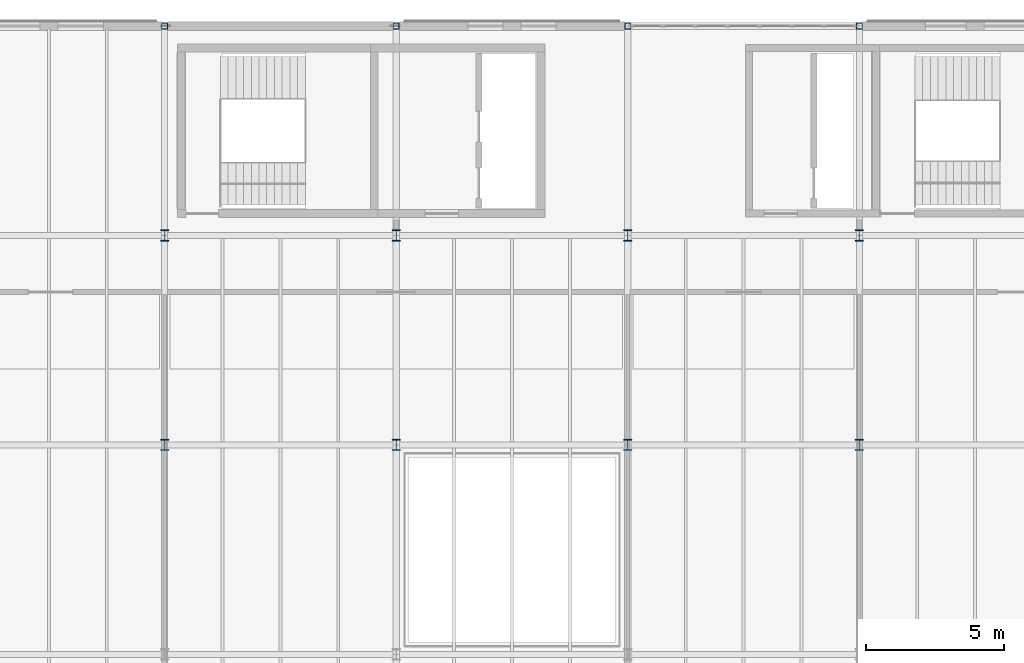
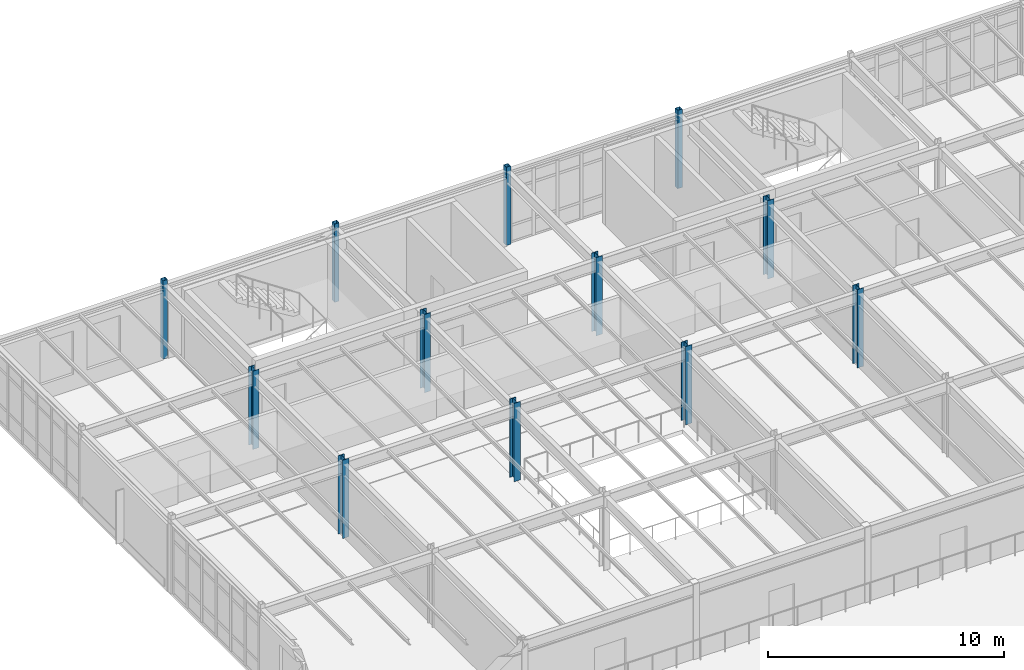
# One storey, part 11 of 114: 12 columns.
"""IFC4 building model written with IfcOpenShell, lengths in metres."""

from ifc_helpers import new_model, si_unit, direction, frame, origin, origin_2d, place, context, subcontext, project, spatial, hollow_rectangle, i_section, extrude, material, material_profile, profile_set, type_object, element, save


model = new_model("IFC4")

# Units and contexts
model_context = context("Model", 3, precision=1e-05, world=origin(), true_north=direction((0.0, 1.0)))
body_context = subcontext(model_context, "Body", "Model", "MODEL_VIEW")
ifc_project = project(units=[si_unit("LENGTHUNIT", "METRE"), si_unit("AREAUNIT", "SQUARE_METRE"), si_unit("VOLUMEUNIT", "CUBIC_METRE"), si_unit("PLANEANGLEUNIT", "RADIAN"), si_unit("MASSUNIT", "GRAM", prefix="KILO")], contexts=[model_context])

# Site, building, storey
site_placement = place(None, origin())
site = spatial("IfcSite", under=ifc_project, at=site_placement, CompositionType="ELEMENT")
building_placement = place(site_placement, origin())
building = spatial("IfcBuilding", under=site, at=building_placement, Name="Montecoro Central Library", CompositionType="ELEMENT")
storey_placement = place(building_placement, frame((0.0, 0.0, 13.260009765625)))
storey = spatial("IfcBuildingStorey", under=building, at=storey_placement, Name="L03", CompositionType="ELEMENT", Elevation=13.260009765625)

# Columns
ifc_material = material(Name="Steel S355", Category="steel")
ifc_material_profile_1 = material_profile(ifc_material, i_section(OverallWidth=0.300048828125, OverallDepth=0.39990234375, WebThickness=0.013427734375, FlangeThickness=0.02392578125, at=origin_2d()), Name="HEB 400")
ifc_profile_set_1 = profile_set([ifc_material_profile_1], Name="Steel S355")
column_type_1 = type_object("IfcColumnType", Name="COL-HEB400", PredefinedType="COLUMN", material=ifc_profile_set_1)
for number, where, z_axis, x_axis, name in (
    (1, (74.800048828125, 103.800048828125, 0.0), (0.0, 0.0, 1.0), (1.0, 0.0, 0.0), "V2-L03-COL-10-P"),
    (2, (74.800048828125, 111.39990234375, 0.0), (0.0, 0.0, 1.0), (1.0, 0.0, 0.0), "V2-L03-COL-10-Q"),
    (3, (83.199951171875, 103.800048828125, 0.0), (0.0, 0.0, 1.0), (1.0, 0.0, 0.0), "V2-L03-COL-11-P"),
    (4, (83.199951171875, 111.39990234375, 0.0), (0.0, 0.0, 1.0), (1.0, 0.0, 0.0), "V2-L03-COL-11-Q"),
    (5, (91.60009765625, 103.800048828125, 0.0), (0.0, 0.0, 1.0), (1.0, 0.0, 0.0), "V2-L03-COL-12-P"),
    (6, (91.60009765625, 111.39990234375, 0.0), (0.0, 0.0, 1.0), (1.0, 0.0, 0.0), "V2-L03-COL-12-Q"),
    (7, (100.0, 103.800048828125, 0.0), (0.0, 0.0, 1.0), (1.0, 0.0, 0.0), "V2-L03-COL-13-P"),
    (8, (100.0, 111.39990234375, 0.0), (0.0, 0.0, 1.0), (1.0, 0.0, 0.0), "V2-L03-COL-13-Q"),
):
    element("IfcColumn", number, at=place(storey_placement, frame(where, z_axis=z_axis, x_axis=x_axis)), inside=storey, type_object=column_type_1, Name=name, PredefinedType="COLUMN", context=body_context, shape_type="SweptSolid", body=[
        extrude(i_section(OverallWidth=0.300048828125, OverallDepth=0.39990234375, WebThickness=0.013427734375, FlangeThickness=0.02392578125, at=origin_2d()), origin(), (0.0, 0.0, 1.0), 4.054931640625),
    ])
ifc_material_profile_2 = material_profile(ifc_material, hollow_rectangle(XDim=0.219970703125, YDim=0.219970703125, WallThickness=0.010009765625, at=origin_2d()), Name="SHS 220x220x10.0")
ifc_profile_set_2 = profile_set([ifc_material_profile_2], Name="Steel S355")
column_type_2 = type_object("IfcColumnType", Name="COL-SHS220", PredefinedType="COLUMN", material=ifc_profile_set_2)
for number, where, z_axis, x_axis, name in (
    (9, (74.800048828125, 119.0, 0.0), (0.0, 0.0, 1.0), (1.0, 0.0, 0.0), "V2-L03-COL-10-R"),
    (10, (83.199951171875, 119.0, 0.0), (0.0, 0.0, 1.0), (1.0, 0.0, 0.0), "V2-L03-COL-11-R"),
    (11, (91.60009765625, 119.0, 0.0), (0.0, 0.0, 1.0), (1.0, 0.0, 0.0), "V2-L03-COL-12-R"),
    (12, (100.0, 119.0, 0.0), (0.0, 0.0, 1.0), (1.0, 0.0, 0.0), "V2-L03-COL-13-R"),
):
    element("IfcColumn", number, at=place(storey_placement, frame(where, z_axis=z_axis, x_axis=x_axis)), inside=storey, type_object=column_type_2, Name=name, PredefinedType="COLUMN", context=body_context, shape_type="SweptSolid", body=[
        extrude(hollow_rectangle(XDim=0.219970703125, YDim=0.219970703125, WallThickness=0.010009765625, at=origin_2d()), origin(), (0.0, 0.0, 1.0), 4.054931640625),
    ])

save(model, "model.ifc")
